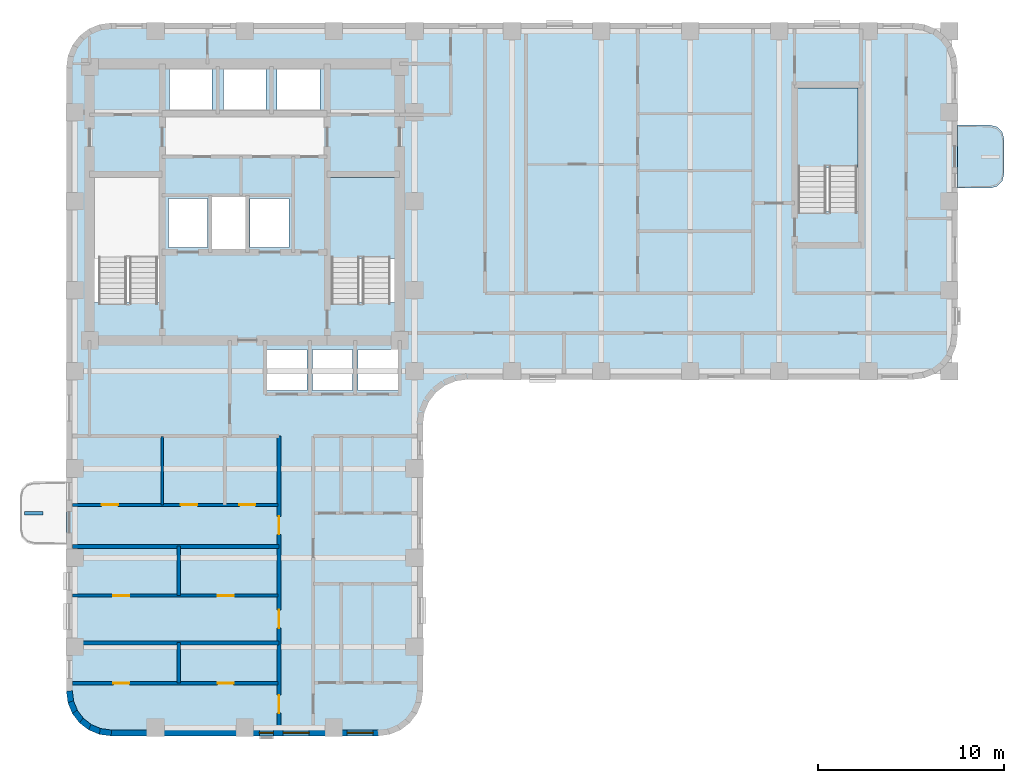
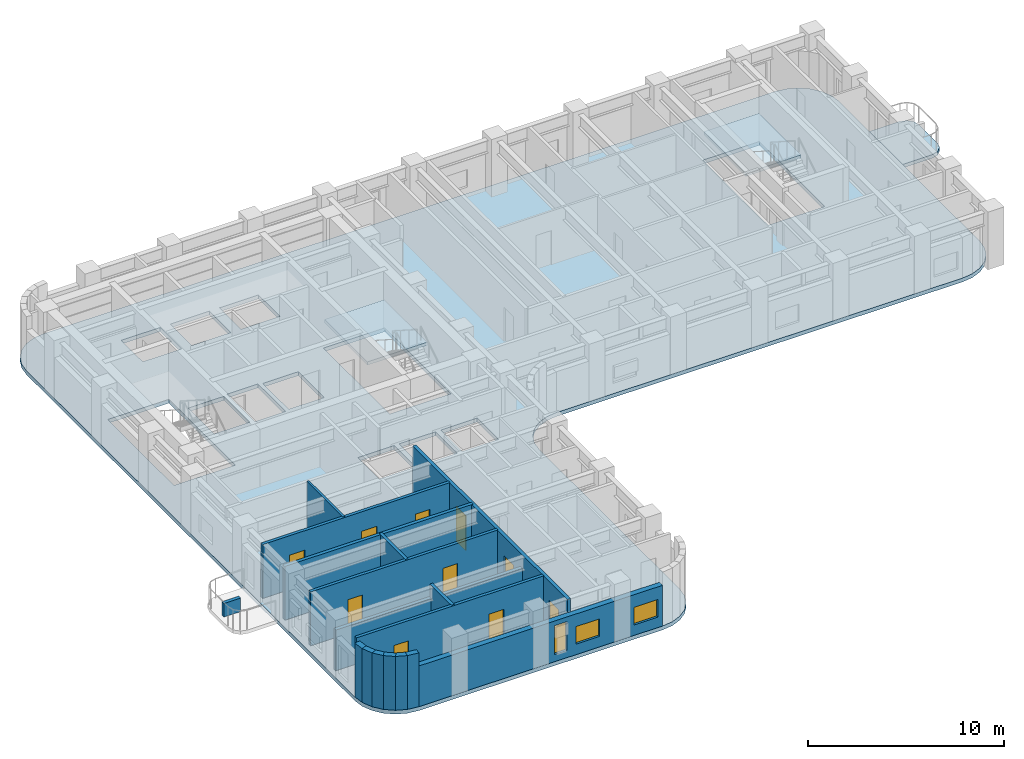
# One storey, part 2 of 10: 17 walls, 10 doors, 4 slabs, 3 windows, 13 openings, 2 elements without a shape of their own.
"""IFC4 building model written with IfcOpenShell, lengths in metres."""

import ifcopenshell
import ifcopenshell.guid

model = None  # the IFC model being written
_history = None  # IfcOwnerHistory: only IFC2X3 demands one
_inside = {}  # id of a spatial element -> (the spatial element, [elements in it])
_under = {}  # id of a project, library or spatial element -> (it, [spatial elements below it])
_declared = {}  # id of a project -> (the project, [libraries it declares])
_typed = {}  # id of a type object -> (the type object, [elements of that type])
_made_of = {}  # id of a material, layer set ... -> (it, [elements and type objects made of it])


def new_model(schema):
    """Start an empty IFC model of exactly this schema.

    Asked for "IFC4X3", IfcOpenShell would pick the latest addendum, in which some entities
    have other attributes; the version numbers below select the first issue.
    IFC2X3 requires an IfcOwnerHistory on every rooted entity: one is made here for all.
    """
    global model, _history
    if schema == "IFC4X3":
        model = ifcopenshell.file(schema_version=(4, 3, 0, 0))
    else:
        model = ifcopenshell.file(schema=schema)
    _inside.clear()
    _under.clear()
    _declared.clear()
    _typed.clear()
    _made_of.clear()
    _history = None
    if model.schema == "IFC2X3":
        org = make("IfcOrganization", Name="unknown")
        user = make(
            "IfcPersonAndOrganization",
            ThePerson=make("IfcPerson", FamilyName="unknown"),
            TheOrganization=org,
        )
        app = make(
            "IfcApplication",
            ApplicationDeveloper=org,
            Version="unknown",
            ApplicationFullName="unknown",
            ApplicationIdentifier="unknown",
        )
        _history = make(
            "IfcOwnerHistory",
            OwningUser=user,
            OwningApplication=app,
            ChangeAction="ADDED",
            CreationDate=0,
        )
    return model


def make(cls, **values):
    """One entity of the class cls with the attributes given. An attribute that is None is left unset."""
    return model.create_entity(
        cls, **{name: value for name, value in values.items() if value is not None}
    )


def rooted(cls, **values):
    """An entity with a GlobalId (a new one), such as an element, a storey or a relation."""
    return make(cls, GlobalId=ifcopenshell.guid.new(), OwnerHistory=_history, **values)


def si_unit(unit_type, name, prefix=None):
    """IfcSIUnit, for example si_unit("LENGTHUNIT", "METRE", prefix="MILLI")."""
    return make("IfcSIUnit", UnitType=unit_type, Prefix=prefix, Name=name)


def assignment(units):
    """IfcUnitAssignment: the units of a project."""
    return None if units is None else make("IfcUnitAssignment", Units=units)


def point(xyz):
    """IfcCartesianPoint."""
    return None if xyz is None else make("IfcCartesianPoint", Coordinates=xyz)


def direction(xyz):
    """IfcDirection."""
    return None if xyz is None else make("IfcDirection", DirectionRatios=xyz)


def frame(location, z_axis=None, x_axis=None):
    """IfcAxis2Placement3D, a coordinate frame: its origin and axes. An axis left out is left unset."""
    return make(
        "IfcAxis2Placement3D",
        Location=point(location),
        Axis=direction(z_axis),
        RefDirection=direction(x_axis),
    )


def frame_2d(location, x_axis=None):
    """IfcAxis2Placement2D, a coordinate frame in the plane: its origin and x axis."""
    return make(
        "IfcAxis2Placement2D", Location=point(location), RefDirection=direction(x_axis)
    )


def origin():
    """The frame at (0, 0, 0) with its axes left unset."""
    return frame((0.0, 0.0, 0.0))


def place(relative_to, where):
    """IfcLocalPlacement: puts the frame where relative to a parent placement (None: the world)."""
    return make(
        "IfcLocalPlacement", PlacementRelTo=relative_to, RelativePlacement=where
    )


def context(
    kind, dimensions, precision=None, world=None, true_north=None, identifier=None
):
    """IfcGeometricRepresentationContext, for example the 3D "Model" context."""
    return make(
        "IfcGeometricRepresentationContext",
        ContextIdentifier=identifier,
        ContextType=kind,
        CoordinateSpaceDimension=dimensions,
        Precision=precision,
        WorldCoordinateSystem=world,
        TrueNorth=true_north,
    )


def subcontext(parent, identifier, kind, view, scale=None):
    """IfcGeometricRepresentationSubContext, for example "Body" below "Model"."""
    return make(
        "IfcGeometricRepresentationSubContext",
        ContextIdentifier=identifier,
        ContextType=kind,
        ParentContext=parent,
        TargetScale=scale,
        TargetView=view,
    )


def project(units=None, contexts=None):
    """IfcProject with its units and contexts."""
    return rooted(
        "IfcProject",
        Name="project",
        RepresentationContexts=contexts,
        UnitsInContext=assignment(units),
    )


def spatial(cls, under=None, at=None, **own):
    """A site, building, storey or space (cls), placed at a placement, below another one or the project."""
    s = rooted(cls, ObjectPlacement=at, **own)
    if under is not None:
        _under.setdefault(under.id(), (under, []))[1].append(s)
    return s


def polyline(points):
    """IfcPolyline through the points."""
    return make("IfcPolyline", Points=[point(p) for p in points])


def profile(cls, at=None, kind="AREA", **sizes):
    """A parametric profile (cls). Its sizes go by their IFC names, for example OverallWidth=200.0."""
    return make(cls, ProfileType=kind, Position=at, **sizes)


def rectangle(**sizes):
    """IfcRectangleProfileDef."""
    return profile("IfcRectangleProfileDef", **sizes)


def outline(outer, holes=None, kind="AREA"):
    """IfcArbitraryClosedProfileDef: a profile drawn as a closed curve; with holes, ...WithVoids."""
    if holes is None:
        return make("IfcArbitraryClosedProfileDef", ProfileType=kind, OuterCurve=outer)
    return make(
        "IfcArbitraryProfileDefWithVoids",
        ProfileType=kind,
        OuterCurve=outer,
        InnerCurves=holes,
    )


def extrude(swept, where, along, depth):
    """IfcExtrudedAreaSolid: the profile swept, set in the frame where, extruded along a direction by depth."""
    return make(
        "IfcExtrudedAreaSolid",
        SweptArea=swept,
        Position=where,
        ExtrudedDirection=direction(along),
        Depth=depth,
    )


def shape(context_of_items, identifier, shape_type, items):
    """IfcShapeRepresentation: the items that make up one representation, for example the "Body"."""
    return make(
        "IfcShapeRepresentation",
        ContextOfItems=context_of_items,
        RepresentationIdentifier=identifier,
        RepresentationType=shape_type,
        Items=items,
    )


def material(Name=None, Category=None):
    """IfcMaterial."""
    return make("IfcMaterial", Name=Name, Category=Category)


def layer(
    of_material, thickness, ventilated=None, Name=None, Category=None, Priority=None
):
    """IfcMaterialLayer: one layer of a wall or slab, of a material (None: an air gap)."""
    return make(
        "IfcMaterialLayer",
        Material=of_material,
        LayerThickness=thickness,
        IsVentilated=ventilated,
        Name=Name,
        Category=Category,
        Priority=Priority,
    )


def layer_set(layers, Name=None):
    """IfcMaterialLayerSet."""
    return make("IfcMaterialLayerSet", MaterialLayers=layers, LayerSetName=Name)


def made_of(thing, what):
    """Note that an element or type object is made of a material, layer set ...; save() writes the relation."""
    if what is not None:
        _made_of.setdefault(what.id(), (what, []))[1].append(thing)
    return thing


def type_object(cls, material=None, **own):
    """A type object (cls), such as IfcWallType, which elements share."""
    return made_of(rooted(cls, **own), material)


def element(
    cls,
    number,
    at=None,
    inside=None,
    cuts=None,
    type_object=None,
    material=None,
    context=None,
    identifier="Body",
    shape_type=None,
    held_by="IfcProductDefinitionShape",
    body=None,
    shapes=None,
    **own,
):
    """One element of the class cls, such as IfcWall. Its Tag is "e" and its number.

    at: its placement. inside: the storey or other place that contains it. cuts: it is an
    opening in that element (IfcRelVoidsElement). A single representation is given by context,
    identifier, shape_type and body (its items); several are given by shapes. held_by: the class
    of the entity that holds the representations. save() writes the other relations.
    """
    e = rooted(cls, Tag="e%d" % number, ObjectPlacement=at, **own)
    if body is not None:
        shapes = [shape(context, identifier, shape_type, body)]
    if shapes is not None:
        e.Representation = make(held_by, Representations=shapes)
    if inside is not None:
        _inside.setdefault(inside.id(), (inside, []))[1].append(e)
    if cuts is not None:
        rooted(
            "IfcRelVoidsElement", RelatingBuildingElement=cuts, RelatedOpeningElement=e
        )
    if type_object is not None:
        _typed.setdefault(type_object.id(), (type_object, []))[1].append(e)
    return made_of(e, material)


def fill(opening, filler):
    """IfcRelFillsElement: the door or window that sits in an opening."""
    return rooted(
        "IfcRelFillsElement",
        RelatingOpeningElement=opening,
        RelatedBuildingElement=filler,
    )


def aggregate(whole, parts):
    """IfcRelAggregates: a whole, such as a stair, and the parts it consists of."""
    return rooted("IfcRelAggregates", RelatingObject=whole, RelatedObjects=parts)


def save(model, path):
    """Write the relations noted so far, then the file.

    IfcRelAggregates (storeys below a building ...), IfcRelContainedInSpatialStructure (elements
    in a storey), IfcRelDefinesByType, IfcRelAssociatesMaterial and IfcRelDeclares: one each for
    every whole, place, type object, material and project.
    """
    for whole, parts in _under.values():
        aggregate(whole, parts)
    for where, things in _inside.values():
        rooted(
            "IfcRelContainedInSpatialStructure",
            RelatedElements=things,
            RelatingStructure=where,
        )
    for kind, things in _typed.values():
        rooted("IfcRelDefinesByType", RelatedObjects=things, RelatingType=kind)
    for what, things in _made_of.values():
        rooted("IfcRelAssociatesMaterial", RelatedObjects=things, RelatingMaterial=what)
    for by, libraries in _declared.values():
        rooted("IfcRelDeclares", RelatingContext=by, RelatedDefinitions=libraries)
    model.write(path)


model = new_model("IFC4")

# Units and contexts
model_context = context("Model", 3, precision=1e-05, world=origin(), true_north=direction((0.0, 1.0)))
body_context = subcontext(model_context, "Body", "Model", "MODEL_VIEW")
ifc_project = project(units=[si_unit("LENGTHUNIT", "METRE"), si_unit("AREAUNIT", "SQUARE_METRE"), si_unit("VOLUMEUNIT", "CUBIC_METRE"), si_unit("PLANEANGLEUNIT", "RADIAN"), si_unit("MASSUNIT", "GRAM", prefix="KILO")], contexts=[model_context])

# Site, building, storey
site_placement = place(None, origin())
site = spatial("IfcSite", under=ifc_project, at=site_placement, CompositionType="ELEMENT")
building_placement = place(site_placement, origin())
building = spatial("IfcBuilding", under=site, at=building_placement, Name="Orvandelia Arch Residences", CompositionType="ELEMENT")
storey_placement = place(building_placement, frame((0.0, 0.0, 132.39990234375)))
storey = spatial("IfcBuildingStorey", under=building, at=storey_placement, Name="L34", CompositionType="ELEMENT", Elevation=132.39990234375)

# Slab
ifc_material_1 = material(Name="Precast concrete C40/50", Category="concrete")
ifc_layer_1 = layer(ifc_material_1, 0.219970703125, Name="Precast concrete C40/50", Category="concrete")
ifc_layer_set_1 = layer_set([ifc_layer_1], Name="Precast concrete C40/50")
slab_type_1 = type_object("IfcSlabType", Name="SLB-BAL-220", PredefinedType="USERDEFINED", material=ifc_layer_set_1)
slab_1_placement = place(storey_placement, frame((0.0, 0.0, -0.219970703125)))
element("IfcSlab", 1, at=slab_1_placement, inside=storey, type_object=slab_type_1, Name="Tree Balcony Cantilever Slab BAL-L34-E1", ObjectType="BALCONY", PredefinedType="USERDEFINED", context=body_context, shape_type="SweptSolid", body=[
    extrude(outline(polyline([(52.800048828125, 42.5), (52.800048828125, 39.10009765625), (54.550048828125, 39.10009765625), (54.925048828125, 39.200439453125), (55.199462890625, 39.47509765625), (55.300048828125, 39.85009765625), (55.300048828125, 41.75), (55.199462890625, 42.125), (54.925048828125, 42.3994140625), (54.550048828125, 42.5), (52.800048828125, 42.5)])), origin(), (0.0, 0.0, 1.0), 0.219970703125),
])

# Stair, slab
ifc_material_2 = material(Name="Concrete C40/50", Category="concrete")
stair_type = type_object("IfcStairType", Name="STAIR-RC-DOGLEG", PredefinedType="HALF_TURN_STAIR", material=ifc_material_2)
stair_1_placement = place(storey_placement, origin())
stair_1 = element("IfcStair", 2, at=stair_1_placement, inside=storey, type_object=stair_type, Name="L34 Protected Exit Stair ST-2", PredefinedType="HALF_TURN_STAIR")
ifc_layer_2 = layer(ifc_material_2, 0.219970703125, Name="Concrete C40/50", Category="concrete")
ifc_layer_set_2 = layer_set([ifc_layer_2], Name="Concrete C40/50")
slab_type_2 = type_object("IfcSlabType", Name="SLB-LANDING-220", PredefinedType="LANDING", material=ifc_layer_set_2)
slab_2_placement = place(storey_placement, frame((0.0, 0.0, 1.60009765625)))
slab_2 = element("IfcSlab", 3, at=slab_2_placement, type_object=slab_type_2, Name="ST-2 landing 1", PredefinedType="LANDING", context=body_context, shape_type="SweptSolid", body=[
    extrude(outline(polyline([(22.5400390625, 35.31005859375), (22.5400390625, 39.68994140625), (19.0, 39.68994140625), (19.0, 35.31005859375), (22.5400390625, 35.31005859375)])), origin(), (0.0, 0.0, 1.0), 0.199951171875),
])
aggregate(stair_1, [slab_2])

stair_2_placement = place(storey_placement, origin())
stair_2 = element("IfcStair", 4, at=stair_2_placement, inside=storey, type_object=stair_type, Name="L34 East Wing Exit Stair ST-3", PredefinedType="HALF_TURN_STAIR")
slab_3_placement = place(storey_placement, frame((0.0, 0.0, 1.60009765625)))
slab_3 = element("IfcSlab", 5, at=slab_3_placement, type_object=slab_type_2, Name="ST-3 landing 1", PredefinedType="LANDING", context=body_context, shape_type="SweptSolid", body=[
    extrude(outline(polyline([(47.43994140625, 40.2099609375), (47.43994140625, 44.5), (44.179931640625, 44.5), (44.179931640625, 40.2099609375), (47.43994140625, 40.2099609375)])), origin(), (0.0, 0.0, 1.0), 0.199951171875),
])
aggregate(stair_2, [slab_3])

# Slab
ifc_layer_3 = layer(ifc_material_2, 0.239990234375, Name="Concrete C40/50", Category="concrete")
ifc_layer_set_3 = layer_set([ifc_layer_3], Name="Concrete C40/50")
slab_type_3 = type_object("IfcSlabType", Name="SLB-TWR-240", PredefinedType="FLOOR", material=ifc_layer_set_3)
slab_4_placement = place(storey_placement, frame((0.0, 0.0, -0.239990234375)))
element("IfcSlab", 6, at=slab_4_placement, inside=storey, type_object=slab_type_3, Name="Structural Floor Slab L34-1", PredefinedType="FLOOR", context=body_context, shape_type="SweptSolid", body=[
    extrude(outline(polyline([(4.800048828125, 12.0), (4.8818359375, 11.37890625), (5.12158203125, 10.800048828125), (5.5029296875, 10.302978515625), (6.0, 9.92138671875), (6.578857421875, 9.681884765625), (7.199951171875, 9.60009765625), (21.60009765625, 9.60009765625), (22.22119140625, 9.681884765625), (22.800048828125, 9.92138671875), (23.297119140625, 10.302978515625), (23.678466796875, 10.800048828125), (23.918212890625, 11.37890625), (24.0, 12.0), (24.0, 26.39990234375), (24.081787109375, 27.021240234375), (24.321533203125, 27.60009765625), (24.702880859375, 28.09716796875), (25.199951171875, 28.478515625), (25.77880859375, 28.71826171875), (26.39990234375, 28.800048828125), (50.39990234375, 28.800048828125), (51.021240234375, 28.8818359375), (51.60009765625, 29.12158203125), (52.09716796875, 29.5029296875), (52.478515625, 30.0), (52.71826171875, 30.578857421875), (52.800048828125, 31.199951171875), (52.800048828125, 45.60009765625), (52.71826171875, 46.22119140625), (52.478515625, 46.800048828125), (52.09716796875, 47.297119140625), (51.60009765625, 47.678466796875), (51.021240234375, 47.918212890625), (50.39990234375, 48.0), (7.199951171875, 48.0), (6.578857421875, 47.918212890625), (6.0, 47.678466796875), (5.5029296875, 47.297119140625), (5.12158203125, 46.800048828125), (4.8818359375, 46.22119140625), (4.800048828125, 45.60009765625), (4.800048828125, 12.0)]), holes=[polyline([(6.219970703125, 32.949951171875), (9.840087890625, 32.949951171875), (9.840087890625, 39.72998046875), (6.219970703125, 39.72998046875), (6.219970703125, 32.949951171875)]), polyline([(18.9599609375, 32.949951171875), (22.580078125, 32.949951171875), (22.580078125, 39.72998046875), (18.9599609375, 39.72998046875), (18.9599609375, 32.949951171875)]), polyline([(44.139892578125, 37.85009765625), (47.47998046875, 37.85009765625), (47.47998046875, 44.5400390625), (44.139892578125, 44.5400390625), (44.139892578125, 37.85009765625)]), polyline([(12.639892578125, 35.81005859375), (14.4599609375, 35.81005859375), (14.4599609375, 38.639892578125), (12.639892578125, 38.639892578125), (12.639892578125, 35.81005859375)]), polyline([(10.300048828125, 35.89990234375), (12.39990234375, 35.89990234375), (12.39990234375, 38.550048828125), (10.300048828125, 38.550048828125), (10.300048828125, 35.89990234375)]), polyline([(14.699951171875, 35.89990234375), (16.800048828125, 35.89990234375), (16.800048828125, 38.550048828125), (14.699951171875, 38.550048828125), (14.699951171875, 35.89990234375)]), polyline([(10.35009765625, 43.300048828125), (12.64990234375, 43.300048828125), (12.64990234375, 45.5), (10.35009765625, 45.5), (10.35009765625, 43.300048828125)]), polyline([(13.25, 43.300048828125), (15.550048828125, 43.300048828125), (15.550048828125, 45.5), (13.25, 45.5), (13.25, 43.300048828125)]), polyline([(16.14990234375, 43.300048828125), (18.449951171875, 43.300048828125), (18.449951171875, 45.5), (16.14990234375, 45.5), (16.14990234375, 43.300048828125)]), polyline([(15.60009765625, 28.199951171875), (17.75, 28.199951171875), (17.75, 30.39990234375), (15.60009765625, 30.39990234375), (15.60009765625, 28.199951171875)]), polyline([(18.050048828125, 28.199951171875), (20.199951171875, 28.199951171875), (20.199951171875, 30.39990234375), (18.050048828125, 30.39990234375), (18.050048828125, 28.199951171875)]), polyline([(20.5, 28.199951171875), (22.64990234375, 28.199951171875), (22.64990234375, 30.39990234375), (20.5, 30.39990234375), (20.5, 28.199951171875)])]), origin(), (0.0, 0.0, 1.0), 0.239990234375),
])

# Wall, openings, doors
ifc_material_3 = material(Name="Fire-Rated Corridor Partition")
ifc_layer_4 = layer(ifc_material_3, 0.199951171875, Name="Fire-Rated Corridor Partition")
ifc_layer_set_4 = layer_set([ifc_layer_4], Name="Fire-Rated Corridor Partition")
wall_type_1 = type_object("IfcWallType", Name="WL-CORR-200", PredefinedType="PARTITIONING", material=ifc_layer_set_4)
wall_1_placement = place(storey_placement, frame((16.25, 9.919921875, 0.0), z_axis=(0.0, 0.0, 1.0), x_axis=(0.0, 1.0, 0.0)))
wall_1 = element("IfcWall", 7, at=wall_1_placement, inside=storey, type_object=wall_type_1, Name="Interior Partition Wall WL-L34-WC-W", PredefinedType="PARTITIONING", context=body_context, shape_type="SweptSolid", body=[
    extrude(rectangle(XDim=15.830078125, YDim=0.199951171875, at=frame_2d((7.9150390625, 0.0))), origin(), (0.0, 0.0, 1.0), 3.360107421875),
])
opening_1_placement = place(wall_1_placement, frame((0.902099609375, 0.0, 0.0)))
opening_1 = element("IfcOpeningElement", 8, at=opening_1_placement, cuts=wall_1, Name="Opening D1", PredefinedType="OPENING", context=body_context, shape_type="SweptSolid", body=[
    extrude(rectangle(XDim=0.97998046875, YDim=2.179931640625, at=frame_2d((0.489990234375, 1.08984375))), frame((0.0, 0.10986328125, 0.0), z_axis=(0.0, -1.0, 0.0), x_axis=(1.0, 0.0, 0.0)), (0.0, 0.0, 1.0), 0.219970703125),
])
opening_2_placement = place(wall_1_placement, frame((5.489990234375, 0.0, 0.0)))
opening_2 = element("IfcOpeningElement", 9, at=opening_2_placement, cuts=wall_1, Name="Opening D1", PredefinedType="OPENING", context=body_context, shape_type="SweptSolid", body=[
    extrude(rectangle(XDim=0.97998046875, YDim=2.179931640625, at=frame_2d((0.489990234375, 1.08984375))), frame((0.0, 0.10986328125, 0.0), z_axis=(0.0, -1.0, 0.0), x_axis=(1.0, 0.0, 0.0)), (0.0, 0.0, 1.0), 0.219970703125),
])
opening_3_placement = place(wall_1_placement, frame((10.530029296875, 0.0, 0.0)))
opening_3 = element("IfcOpeningElement", 10, at=opening_3_placement, cuts=wall_1, Name="Opening D1", PredefinedType="OPENING", context=body_context, shape_type="SweptSolid", body=[
    extrude(rectangle(XDim=0.97998046875, YDim=2.179931640625, at=frame_2d((0.489990234375, 1.08984375))), frame((0.0, 0.10986328125, 0.0), z_axis=(0.0, -1.0, 0.0), x_axis=(1.0, 0.0, 0.0)), (0.0, 0.0, 1.0), 0.219970703125),
])
ifc_material_4 = material(Name="Solid-Core Timber Acoustic Fire Door", Category="wood")
door_type_1 = type_object("IfcDoorType", Name="DR-ENT-980", OperationType="NOTDEFINED", PredefinedType="DOOR", material=ifc_material_4)
door_1_placement = place(opening_1_placement, origin())
door_1 = element("IfcDoor", 11, at=door_1_placement, inside=storey, type_object=door_type_1, Name="Unit L34-01 Entrance Door", OperationType="SINGLE_SWING_LEFT", OverallHeight=2.179931640625, OverallWidth=0.97998046875, PredefinedType="DOOR", context=body_context, shape_type="SweptSolid", body=[
    extrude(rectangle(XDim=0.97998046875, YDim=2.179931640625, at=frame_2d((0.489990234375, 1.08984375))), frame((0.0, 0.02490234375, 0.0), z_axis=(0.0, -1.0, 0.0), x_axis=(1.0, 0.0, 0.0)), (0.0, 0.0, 1.0), 0.050048828125),
])
fill(opening_1, door_1)
door_2_placement = place(opening_2_placement, origin())
door_2 = element("IfcDoor", 12, at=door_2_placement, inside=storey, type_object=door_type_1, Name="Unit L34-02 Entrance Door", OperationType="SINGLE_SWING_RIGHT", OverallHeight=2.179931640625, OverallWidth=0.97998046875, PredefinedType="DOOR", context=body_context, shape_type="SweptSolid", body=[
    extrude(rectangle(XDim=0.97998046875, YDim=2.179931640625, at=frame_2d((0.489990234375, 1.08984375))), frame((0.0, 0.02490234375, 0.0), z_axis=(0.0, -1.0, 0.0), x_axis=(1.0, 0.0, 0.0)), (0.0, 0.0, 1.0), 0.050048828125),
])
fill(opening_2, door_2)
door_3_placement = place(opening_3_placement, origin())
door_3 = element("IfcDoor", 13, at=door_3_placement, inside=storey, type_object=door_type_1, Name="Unit L34-03 Entrance Door", OperationType="SINGLE_SWING_LEFT", OverallHeight=2.179931640625, OverallWidth=0.97998046875, PredefinedType="DOOR", context=body_context, shape_type="SweptSolid", body=[
    extrude(rectangle(XDim=0.97998046875, YDim=2.179931640625, at=frame_2d((0.489990234375, 1.08984375))), frame((0.0, 0.02490234375, 0.0), z_axis=(0.0, -1.0, 0.0), x_axis=(1.0, 0.0, 0.0)), (0.0, 0.0, 1.0), 0.050048828125),
])
fill(opening_3, door_3)

# Walls
ifc_layer_5 = layer(ifc_material_2, 0.199951171875, Name="Concrete C40/50", Category="concrete")
ifc_layer_set_5 = layer_set([ifc_layer_5], Name="Concrete C40/50")
wall_type_2 = type_object("IfcWallType", Name="WL-DEM-200", PredefinedType="SOLIDWALL", material=ifc_layer_set_5)
wall_2_placement = place(storey_placement, frame((5.1201171875, 14.60009765625, 0.0), z_axis=(0.0, 0.0, 1.0), x_axis=(1.0, 0.0, 0.0)))
element("IfcWall", 14, at=wall_2_placement, inside=storey, type_object=wall_type_2, Name="Interior Partition Wall WL-L34-DEM-WL-146", PredefinedType="SOLIDWALL", context=body_context, shape_type="SweptSolid", body=[
    extrude(rectangle(XDim=11.1298828125, YDim=0.199951171875, at=frame_2d((5.56494140625, 0.0))), origin(), (0.0, 0.0, 1.0), 2.5400390625),
])
wall_3_placement = place(storey_placement, frame((5.1201171875, 19.800048828125, 0.0), z_axis=(0.0, 0.0, 1.0), x_axis=(1.0, 0.0, 0.0)))
element("IfcWall", 15, at=wall_3_placement, inside=storey, type_object=wall_type_2, Name="Interior Partition Wall WL-L34-DEM-WL-198", PredefinedType="SOLIDWALL", context=body_context, shape_type="SweptSolid", body=[
    extrude(rectangle(XDim=11.1298828125, YDim=0.199951171875, at=frame_2d((5.56494140625, 0.0))), origin(), (0.0, 0.0, 1.0), 3.360107421875),
])

# Wall, openings, windows
ifc_layer_6 = layer(ifc_material_1, 0.320068359375, Name="Precast concrete C40/50", Category="concrete")
ifc_layer_set_6 = layer_set([ifc_layer_6], Name="Precast concrete C40/50")
wall_type_3 = type_object("IfcWallType", Name="WL-EXT-STONE-320", PredefinedType="STANDARD", material=ifc_layer_set_6)
wall_4_placement = place(storey_placement, frame((21.60009765625, 9.760009765625, 0.0), z_axis=(0.0, 0.0, 1.0), x_axis=(-1.0, 0.0, 0.0)))
wall_4 = element("IfcWall", 16, at=wall_4_placement, inside=storey, type_object=wall_type_3, Name="Coral-Limestone Precast Facade Wall L34-035", PredefinedType="STANDARD", context=body_context, shape_type="SweptSolid", body=[
    extrude(rectangle(XDim=14.400146484375, YDim=0.320068359375, at=frame_2d((7.2001953125, 0.0))), origin(), (0.0, 0.0, 1.0), 2.5400390625),
])
opening_4_placement = place(wall_4_placement, frame((5.652587890625, 0.0, 0.449951171875)))
opening_4 = element("IfcOpeningElement", 17, at=opening_4_placement, cuts=wall_4, Name="Opening W11", PredefinedType="OPENING", context=body_context, shape_type="SweptSolid", body=[
    extrude(rectangle(XDim=0.75, YDim=1.800048828125, at=frame_2d((0.375, 0.89990234375))), frame((0.0, 0.169921875, 0.0), z_axis=(0.0, -1.0, 0.0), x_axis=(1.0, 0.0, 0.0)), (0.0, 0.0, 1.0), 0.340087890625),
])
opening_5_placement = place(wall_4_placement, frame((3.72509765625, 0.0, 0.64990234375)))
opening_5 = element("IfcOpeningElement", 18, at=opening_5_placement, cuts=wall_4, Name="Opening W10", PredefinedType="OPENING", context=body_context, shape_type="SweptSolid", body=[
    extrude(rectangle(XDim=1.39990234375, YDim=1.10009765625, at=frame_2d((0.699951171875, 0.550048828125))), frame((0.0, 0.169921875, 0.0), z_axis=(0.0, -1.0, 0.0), x_axis=(1.0, 0.0, 0.0)), (0.0, 0.0, 1.0), 0.340087890625),
])
opening_6_placement = place(wall_4_placement, frame((0.282470703125, 0.0, 0.64990234375)))
opening_6 = element("IfcOpeningElement", 19, at=opening_6_placement, cuts=wall_4, Name="Opening W10", PredefinedType="OPENING", context=body_context, shape_type="SweptSolid", body=[
    extrude(rectangle(XDim=1.39990234375, YDim=1.10009765625, at=frame_2d((0.699951171875, 0.550048828125))), frame((0.0, 0.169921875, 0.0), z_axis=(0.0, -1.0, 0.0), x_axis=(1.0, 0.0, 0.0)), (0.0, 0.0, 1.0), 0.340087890625),
])
ifc_material_5 = material(Name="Tempered Low-E Insulated Glazing", Category="glass")
window_type_1 = type_object("IfcWindowType", Name="WIN-BED-0750x1800", PartitioningType="SINGLE_PANEL", PredefinedType="WINDOW", material=ifc_material_5)
window_1_placement = place(opening_4_placement, origin())
window_1 = element("IfcWindow", 20, at=window_1_placement, inside=storey, type_object=window_type_1, Name="Recessed Punched Window L34-018", OverallHeight=1.800048828125, OverallWidth=0.75, PartitioningType="SINGLE_PANEL", PredefinedType="WINDOW", context=body_context, shape_type="SweptSolid", body=[
    extrude(rectangle(XDim=0.75, YDim=1.800048828125, at=frame_2d((0.375, 0.89990234375))), frame((0.0, 0.030029296875, 0.0), z_axis=(0.0, -1.0, 0.0), x_axis=(1.0, 0.0, 0.0)), (0.0, 0.0, 1.0), 0.06005859375),
])
fill(opening_4, window_1)
window_type_2 = type_object("IfcWindowType", Name="WIN-CLR-1400x1100", PartitioningType="SINGLE_PANEL", PredefinedType="WINDOW", material=ifc_material_5)
window_2_placement = place(opening_5_placement, origin())
window_2 = element("IfcWindow", 21, at=window_2_placement, inside=storey, type_object=window_type_2, Name="Recessed Punched Window L34-019", OverallHeight=1.10009765625, OverallWidth=1.39990234375, PartitioningType="SINGLE_PANEL", PredefinedType="WINDOW", context=body_context, shape_type="SweptSolid", body=[
    extrude(rectangle(XDim=1.39990234375, YDim=1.10009765625, at=frame_2d((0.699951171875, 0.550048828125))), frame((0.0, 0.030029296875, 0.0), z_axis=(0.0, -1.0, 0.0), x_axis=(1.0, 0.0, 0.0)), (0.0, 0.0, 1.0), 0.06005859375),
])
fill(opening_5, window_2)
window_3_placement = place(opening_6_placement, origin())
window_3 = element("IfcWindow", 22, at=window_3_placement, inside=storey, type_object=window_type_2, Name="Recessed Punched Window L34-020", OverallHeight=1.10009765625, OverallWidth=1.39990234375, PartitioningType="SINGLE_PANEL", PredefinedType="WINDOW", context=body_context, shape_type="SweptSolid", body=[
    extrude(rectangle(XDim=1.39990234375, YDim=1.10009765625, at=frame_2d((0.699951171875, 0.550048828125))), frame((0.0, 0.030029296875, 0.0), z_axis=(0.0, -1.0, 0.0), x_axis=(1.0, 0.0, 0.0)), (0.0, 0.0, 1.0), 0.06005859375),
])
fill(opening_6, window_3)

# Walls
wall_5_placement = place(storey_placement, frame((7.220947265625, 9.758544921875, 0.0), z_axis=(0.0, 0.0, 1.0), x_axis=(-0.991447664465, 0.130504898859, 0.0)))
element("IfcWall", 23, at=wall_5_placement, inside=storey, type_object=wall_type_3, Name="Coral-Limestone Precast Facade Wall L34-036", PredefinedType="STANDARD", context=body_context, shape_type="SweptSolid", body=[
    extrude(rectangle(XDim=0.626708984375, YDim=0.320068359375, at=frame_2d((0.3134765625, 0.0))), origin(), (0.0, 0.0, 1.0), 3.360107421875),
])
wall_6_placement = place(storey_placement, frame((6.639892578125, 9.82958984375, 0.0), z_axis=(0.0, 0.0, 1.0), x_axis=(-0.923836271867, 0.382787856107, 0.0)))
element("IfcWall", 24, at=wall_6_placement, inside=storey, type_object=wall_type_3, Name="Coral-Limestone Precast Facade Wall L34-037", PredefinedType="STANDARD", context=body_context, shape_type="SweptSolid", body=[
    extrude(rectangle(XDim=0.626220703125, YDim=0.320068359375, at=frame_2d((0.31298828125, 0.0))), origin(), (0.0, 0.0, 1.0), 3.360107421875),
])
wall_7_placement = place(storey_placement, frame((6.097412109375, 10.04833984375, 0.0), z_axis=(0.0, 0.0, 1.0), x_axis=(-0.793405610854, 0.608693302629, 0.0)))
element("IfcWall", 25, at=wall_7_placement, inside=storey, type_object=wall_type_3, Name="Coral-Limestone Precast Facade Wall L34-038", PredefinedType="STANDARD", context=body_context, shape_type="SweptSolid", body=[
    extrude(rectangle(XDim=0.62646484375, YDim=0.320068359375, at=frame_2d((0.313232421875, 0.0))), origin(), (0.0, 0.0, 1.0), 3.360107421875),
])
wall_8_placement = place(storey_placement, frame((5.6298828125, 10.400390625, 0.0), z_axis=(0.0, 0.0, 1.0), x_axis=(-0.608938521285, 0.7932174212, 0.0)))
element("IfcWall", 26, at=wall_8_placement, inside=storey, type_object=wall_type_3, Name="Coral-Limestone Precast Facade Wall L34-039", PredefinedType="STANDARD", context=body_context, shape_type="SweptSolid", body=[
    extrude(rectangle(XDim=0.626708984375, YDim=0.320068359375, at=frame_2d((0.3134765625, 0.0))), origin(), (0.0, 0.0, 1.0), 3.360107421875),
])
wall_9_placement = place(storey_placement, frame((5.269287109375, 10.861083984375, 0.0), z_axis=(0.0, 0.0, 1.0), x_axis=(-0.382650053678, 0.92389335771, 0.0)))
element("IfcWall", 27, at=wall_9_placement, inside=storey, type_object=wall_type_3, Name="Coral-Limestone Precast Facade Wall L34-040", PredefinedType="STANDARD", context=body_context, shape_type="SweptSolid", body=[
    extrude(rectangle(XDim=0.62646484375, YDim=0.320068359375, at=frame_2d((0.313232421875, 0.0))), origin(), (0.0, 0.0, 1.0), 3.360107421875),
])
wall_10_placement = place(storey_placement, frame((5.040283203125, 11.399658203125, 0.0), z_axis=(0.0, 0.0, 1.0), x_axis=(-0.130504898859, 0.991447664465, 0.0)))
element("IfcWall", 28, at=wall_10_placement, inside=storey, type_object=wall_type_3, Name="Coral-Limestone Precast Facade Wall L34-041", PredefinedType="STANDARD", context=body_context, shape_type="SweptSolid", body=[
    extrude(rectangle(XDim=0.626708984375, YDim=0.320068359375, at=frame_2d((0.3134765625, 0.0))), origin(), (0.0, 0.0, 1.0), 3.360107421875),
])
ifc_material_6 = material(Name="Lightweight Gypsum Stud Partition")
ifc_layer_7 = layer(ifc_material_6, 0.1201171875, Name="Lightweight Gypsum Stud Partition")
ifc_layer_set_7 = layer_set([ifc_layer_7], Name="Lightweight Gypsum Stud Partition")
wall_type_4 = type_object("IfcWallType", Name="WL-PART-120", PredefinedType="PARTITIONING", material=ifc_layer_set_7)
wall_11_placement = place(storey_placement, frame((9.95703125, 22.0400390625, 0.0), z_axis=(0.0, 0.0, 1.0), x_axis=(0.0, 1.0, 0.0)))
element("IfcWall", 29, at=wall_11_placement, inside=storey, type_object=wall_type_4, Name="Interior Partition Wall WL-L34-U03-V1", PredefinedType="PARTITIONING", context=body_context, shape_type="SweptSolid", body=[
    extrude(rectangle(XDim=3.679931640625, YDim=0.1201171875, at=frame_2d((1.83984375, 0.0))), origin(), (0.0, 0.0, 1.0), 3.360107421875),
])
ifc_layer_8 = layer(ifc_material_1, 0.199951171875, Name="Precast concrete C40/50", Category="concrete")
ifc_layer_set_8 = layer_set([ifc_layer_8], Name="Precast concrete C40/50")
wall_type_5 = type_object("IfcWallType", Name="WL-PLANTER-200", PredefinedType="MOVABLE", material=ifc_layer_set_8)
wall_12_placement = place(storey_placement, frame((2.550048828125, 21.60009765625, 0.0), z_axis=(0.0, 0.0, 1.0), x_axis=(1.0, 0.0, 0.0)))
element("IfcWall", 30, at=wall_12_placement, inside=storey, type_object=wall_type_5, Name="Balcony Precast Tree Planter BAL-L34-W1", PredefinedType="MOVABLE", context=body_context, shape_type="SweptSolid", body=[
    extrude(rectangle(XDim=1.0, YDim=0.199951171875, at=frame_2d((0.5, 0.0))), origin(), (0.0, 0.0, 1.0), 0.85009765625),
])

# Wall, openings, doors
ifc_material_7 = material(Name="Moisture-Resistant Plumbing Wall")
ifc_layer_9 = layer(ifc_material_7, 0.179931640625, Name="Moisture-Resistant Plumbing Wall")
ifc_layer_set_9 = layer_set([ifc_layer_9], Name="Moisture-Resistant Plumbing Wall")
wall_type_6 = type_object("IfcWallType", Name="WL-WET-180", PredefinedType="PLUMBINGWALL", material=ifc_layer_set_9)
wall_13_placement = place(storey_placement, frame((5.1201171875, 12.444091796875, 0.0), z_axis=(0.0, 0.0, 1.0), x_axis=(1.0, 0.0, 0.0)))
wall_13 = element("IfcWall", 31, at=wall_13_placement, inside=storey, type_object=wall_type_6, Name="Interior Partition Wall WL-L34-U01-HZ", PredefinedType="PLUMBINGWALL", context=body_context, shape_type="SweptSolid", body=[
    extrude(rectangle(XDim=11.06982421875, YDim=0.179931640625, at=frame_2d((5.534912109375, 0.0))), origin(), (0.0, 0.0, 1.0), 3.360107421875),
])
opening_7_placement = place(wall_13_placement, frame((2.208984375, 0.0, 0.0)))
opening_7 = element("IfcOpeningElement", 32, at=opening_7_placement, cuts=wall_13, Name="Opening D4", PredefinedType="OPENING", context=body_context, shape_type="SweptSolid", body=[
    extrude(rectangle(XDim=0.860107421875, YDim=2.10009765625, at=frame_2d((0.43017578125, 1.050048828125))), frame((0.0, 0.10009765625, 0.0), z_axis=(0.0, -1.0, 0.0), x_axis=(1.0, 0.0, 0.0)), (0.0, 0.0, 1.0), 0.199951171875),
])
opening_8_placement = place(wall_13_placement, frame((7.823974609375, 0.0, 0.0)))
opening_8 = element("IfcOpeningElement", 33, at=opening_8_placement, cuts=wall_13, Name="Opening D4", PredefinedType="OPENING", context=body_context, shape_type="SweptSolid", body=[
    extrude(rectangle(XDim=0.860107421875, YDim=2.10009765625, at=frame_2d((0.43017578125, 1.050048828125))), frame((0.0, 0.10009765625, 0.0), z_axis=(0.0, -1.0, 0.0), x_axis=(1.0, 0.0, 0.0)), (0.0, 0.0, 1.0), 0.199951171875),
])
ifc_material_8 = material(Name="Moisture-Sealed Timber Bathroom Door", Category="wood")
door_type_2 = type_object("IfcDoorType", Name="DR-WET-900", OperationType="NOTDEFINED", PredefinedType="DOOR", material=ifc_material_8)
door_4_placement = place(opening_7_placement, origin())
door_4 = element("IfcDoor", 34, at=door_4_placement, inside=storey, type_object=door_type_2, Name="DR-L34-U01-KIT", OperationType="SINGLE_SWING_LEFT", OverallHeight=2.10009765625, OverallWidth=0.860107421875, PredefinedType="DOOR", context=body_context, shape_type="SweptSolid", body=[
    extrude(rectangle(XDim=0.860107421875, YDim=2.10009765625, at=frame_2d((0.43017578125, 1.050048828125))), frame((0.0, 0.02490234375, 0.0), z_axis=(0.0, -1.0, 0.0), x_axis=(1.0, 0.0, 0.0)), (0.0, 0.0, 1.0), 0.050048828125),
])
fill(opening_7, door_4)
door_5_placement = place(opening_8_placement, origin())
door_5 = element("IfcDoor", 35, at=door_5_placement, inside=storey, type_object=door_type_2, Name="DR-L34-U01-BTH", OperationType="SINGLE_SWING_RIGHT", OverallHeight=2.10009765625, OverallWidth=0.860107421875, PredefinedType="DOOR", context=body_context, shape_type="SweptSolid", body=[
    extrude(rectangle(XDim=0.860107421875, YDim=2.10009765625, at=frame_2d((0.43017578125, 1.050048828125))), frame((0.0, 0.02490234375, 0.0), z_axis=(0.0, -1.0, 0.0), x_axis=(1.0, 0.0, 0.0)), (0.0, 0.0, 1.0), 0.050048828125),
])
fill(opening_8, door_5)

# Wall
wall_14_placement = place(storey_placement, frame((10.847900390625, 12.444091796875, 0.0), z_axis=(0.0, 0.0, 1.0), x_axis=(0.0, 1.0, 0.0)))
element("IfcWall", 36, at=wall_14_placement, inside=storey, type_object=wall_type_6, Name="Interior Partition Wall WL-L34-U01-V1", PredefinedType="PLUMBINGWALL", context=body_context, shape_type="SweptSolid", body=[
    extrude(rectangle(XDim=2.19580078125, YDim=0.179931640625, at=frame_2d((1.097900390625, 0.0))), origin(), (0.0, 0.0, 1.0), 3.360107421875),
])

# Wall, openings, doors
wall_15_placement = place(storey_placement, frame((5.1201171875, 17.159912109375, 0.0), z_axis=(0.0, 0.0, 1.0), x_axis=(1.0, 0.0, 0.0)))
wall_15 = element("IfcWall", 37, at=wall_15_placement, inside=storey, type_object=wall_type_6, Name="Interior Partition Wall WL-L34-U02-HZ", PredefinedType="PLUMBINGWALL", context=body_context, shape_type="SweptSolid", body=[
    extrude(rectangle(XDim=11.06982421875, YDim=0.179931640625, at=frame_2d((5.534912109375, 0.0))), origin(), (0.0, 0.0, 1.0), 3.360107421875),
])
opening_9_placement = place(wall_15_placement, frame((2.208984375, 0.0, 0.0)))
opening_9 = element("IfcOpeningElement", 38, at=opening_9_placement, cuts=wall_15, Name="Opening D4", PredefinedType="OPENING", context=body_context, shape_type="SweptSolid", body=[
    extrude(rectangle(XDim=0.860107421875, YDim=2.10009765625, at=frame_2d((0.43017578125, 1.050048828125))), frame((0.0, 0.10009765625, 0.0), z_axis=(0.0, -1.0, 0.0), x_axis=(1.0, 0.0, 0.0)), (0.0, 0.0, 1.0), 0.199951171875),
])
opening_10_placement = place(wall_15_placement, frame((7.823974609375, 0.0, 0.0)))
opening_10 = element("IfcOpeningElement", 39, at=opening_10_placement, cuts=wall_15, Name="Opening D4", PredefinedType="OPENING", context=body_context, shape_type="SweptSolid", body=[
    extrude(rectangle(XDim=0.860107421875, YDim=2.10009765625, at=frame_2d((0.43017578125, 1.050048828125))), frame((0.0, 0.10009765625, 0.0), z_axis=(0.0, -1.0, 0.0), x_axis=(1.0, 0.0, 0.0)), (0.0, 0.0, 1.0), 0.199951171875),
])
door_6_placement = place(opening_9_placement, origin())
door_6 = element("IfcDoor", 40, at=door_6_placement, inside=storey, type_object=door_type_2, Name="DR-L34-U02-KIT", OperationType="SINGLE_SWING_RIGHT", OverallHeight=2.10009765625, OverallWidth=0.860107421875, PredefinedType="DOOR", context=body_context, shape_type="SweptSolid", body=[
    extrude(rectangle(XDim=0.860107421875, YDim=2.10009765625, at=frame_2d((0.43017578125, 1.050048828125))), frame((0.0, 0.02490234375, 0.0), z_axis=(0.0, -1.0, 0.0), x_axis=(1.0, 0.0, 0.0)), (0.0, 0.0, 1.0), 0.050048828125),
])
fill(opening_9, door_6)
door_7_placement = place(opening_10_placement, origin())
door_7 = element("IfcDoor", 41, at=door_7_placement, inside=storey, type_object=door_type_2, Name="DR-L34-U02-BTH", OperationType="SINGLE_SWING_LEFT", OverallHeight=2.10009765625, OverallWidth=0.860107421875, PredefinedType="DOOR", context=body_context, shape_type="SweptSolid", body=[
    extrude(rectangle(XDim=0.860107421875, YDim=2.10009765625, at=frame_2d((0.43017578125, 1.050048828125))), frame((0.0, 0.02490234375, 0.0), z_axis=(0.0, -1.0, 0.0), x_axis=(1.0, 0.0, 0.0)), (0.0, 0.0, 1.0), 0.050048828125),
])
fill(opening_10, door_7)

# Wall
wall_16_placement = place(storey_placement, frame((10.847900390625, 17.159912109375, 0.0), z_axis=(0.0, 0.0, 1.0), x_axis=(0.0, 1.0, 0.0)))
element("IfcWall", 42, at=wall_16_placement, inside=storey, type_object=wall_type_6, Name="Interior Partition Wall WL-L34-U02-V1", PredefinedType="PLUMBINGWALL", context=body_context, shape_type="SweptSolid", body=[
    extrude(rectangle(XDim=2.68017578125, YDim=0.179931640625, at=frame_2d((1.340087890625, 0.0))), origin(), (0.0, 0.0, 1.0), 3.360107421875),
])

# Wall, openings, doors
wall_17_placement = place(storey_placement, frame((5.1201171875, 22.0400390625, 0.0), z_axis=(0.0, 0.0, 1.0), x_axis=(1.0, 0.0, 0.0)))
wall_17 = element("IfcWall", 43, at=wall_17_placement, inside=storey, type_object=wall_type_6, Name="Interior Partition Wall WL-L34-U03-HZ", PredefinedType="PLUMBINGWALL", context=body_context, shape_type="SweptSolid", body=[
    extrude(rectangle(XDim=11.06982421875, YDim=0.179931640625, at=frame_2d((5.534912109375, 0.0))), origin(), (0.0, 0.0, 1.0), 3.360107421875),
])
opening_11_placement = place(wall_17_placement, frame((1.5712890625, 0.0, 0.0)))
opening_11 = element("IfcOpeningElement", 44, at=opening_11_placement, cuts=wall_17, Name="Opening D3", PredefinedType="OPENING", context=body_context, shape_type="SweptSolid", body=[
    extrude(rectangle(XDim=0.89990234375, YDim=2.14990234375, at=frame_2d((0.449951171875, 1.074951171875))), frame((0.0, 0.10009765625, 0.0), z_axis=(0.0, -1.0, 0.0), x_axis=(1.0, 0.0, 0.0)), (0.0, 0.0, 1.0), 0.199951171875),
])
opening_12_placement = place(wall_17_placement, frame((5.834228515625, 0.0, 0.0)))
opening_12 = element("IfcOpeningElement", 45, at=opening_12_placement, cuts=wall_17, Name="Opening D3", PredefinedType="OPENING", context=body_context, shape_type="SweptSolid", body=[
    extrude(rectangle(XDim=0.89990234375, YDim=2.14990234375, at=frame_2d((0.449951171875, 1.074951171875))), frame((0.0, 0.10009765625, 0.0), z_axis=(0.0, -1.0, 0.0), x_axis=(1.0, 0.0, 0.0)), (0.0, 0.0, 1.0), 0.199951171875),
])
opening_13_placement = place(wall_17_placement, frame((8.998046875, 0.0, 0.0)))
opening_13 = element("IfcOpeningElement", 46, at=opening_13_placement, cuts=wall_17, Name="Opening D4", PredefinedType="OPENING", context=body_context, shape_type="SweptSolid", body=[
    extrude(rectangle(XDim=0.860107421875, YDim=2.10009765625, at=frame_2d((0.43017578125, 1.050048828125))), frame((0.0, 0.10009765625, 0.0), z_axis=(0.0, -1.0, 0.0), x_axis=(1.0, 0.0, 0.0)), (0.0, 0.0, 1.0), 0.199951171875),
])
ifc_material_9 = material(Name="Engineered Timber Flush Door", Category="wood")
door_type_3 = type_object("IfcDoorType", Name="DR-INT-900", OperationType="NOTDEFINED", PredefinedType="DOOR", material=ifc_material_9)
door_8_placement = place(opening_11_placement, origin())
door_8 = element("IfcDoor", 47, at=door_8_placement, inside=storey, type_object=door_type_3, Name="DR-L34-U03-BD1", OperationType="SINGLE_SWING_LEFT", OverallHeight=2.14990234375, OverallWidth=0.89990234375, PredefinedType="DOOR", context=body_context, shape_type="SweptSolid", body=[
    extrude(rectangle(XDim=0.89990234375, YDim=2.14990234375, at=frame_2d((0.449951171875, 1.074951171875))), frame((0.0, 0.02490234375, 0.0), z_axis=(0.0, -1.0, 0.0), x_axis=(1.0, 0.0, 0.0)), (0.0, 0.0, 1.0), 0.050048828125),
])
fill(opening_11, door_8)
door_9_placement = place(opening_12_placement, origin())
door_9 = element("IfcDoor", 48, at=door_9_placement, inside=storey, type_object=door_type_3, Name="DR-L34-U03-KIT", OperationType="SINGLE_SWING_RIGHT", OverallHeight=2.14990234375, OverallWidth=0.89990234375, PredefinedType="DOOR", context=body_context, shape_type="SweptSolid", body=[
    extrude(rectangle(XDim=0.89990234375, YDim=2.14990234375, at=frame_2d((0.449951171875, 1.074951171875))), frame((0.0, 0.02490234375, 0.0), z_axis=(0.0, -1.0, 0.0), x_axis=(1.0, 0.0, 0.0)), (0.0, 0.0, 1.0), 0.050048828125),
])
fill(opening_12, door_9)
door_10_placement = place(opening_13_placement, origin())
door_10 = element("IfcDoor", 49, at=door_10_placement, inside=storey, type_object=door_type_2, Name="DR-L34-U03-BTH", OperationType="SINGLE_SWING_LEFT", OverallHeight=2.10009765625, OverallWidth=0.860107421875, PredefinedType="DOOR", context=body_context, shape_type="SweptSolid", body=[
    extrude(rectangle(XDim=0.860107421875, YDim=2.10009765625, at=frame_2d((0.43017578125, 1.050048828125))), frame((0.0, 0.02490234375, 0.0), z_axis=(0.0, -1.0, 0.0), x_axis=(1.0, 0.0, 0.0)), (0.0, 0.0, 1.0), 0.050048828125),
])
fill(opening_13, door_10)

save(model, "model.ifc")
